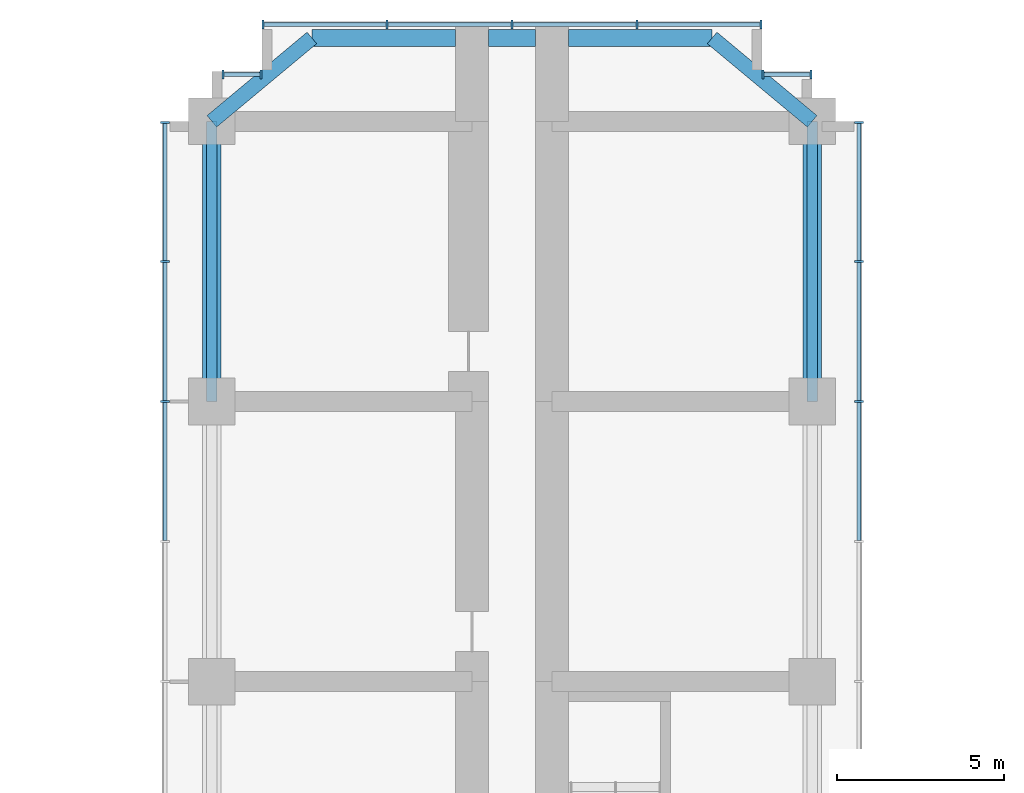
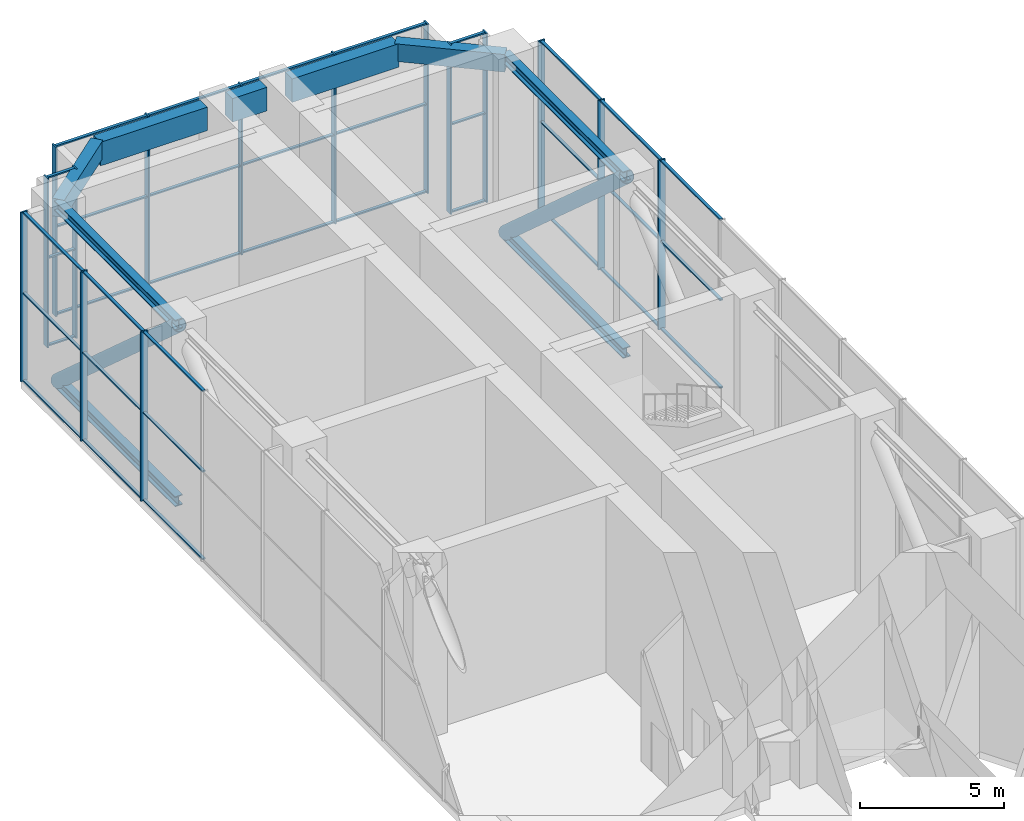
# One storey, part 9 of 19: 57 members, 5 beams, 5 elements without a shape of their own.
"""IFC4 building model written with IfcOpenShell, lengths in metres."""

from ifc_helpers import new_model, si_unit, direction, frame, origin, origin_2d, place, context, subcontext, project, spatial, rectangle, hollow_circle, i_section, extrude, material, material_profile, profile_set, type_object, element, aggregate, save


model = new_model("IFC4")

# Units and contexts
model_context = context("Model", 3, precision=1e-05, world=origin(), true_north=direction((0.0, 1.0)))
body_context = subcontext(model_context, "Body", "Model", "MODEL_VIEW")
ifc_project = project(units=[si_unit("LENGTHUNIT", "METRE"), si_unit("AREAUNIT", "SQUARE_METRE"), si_unit("VOLUMEUNIT", "CUBIC_METRE"), si_unit("PLANEANGLEUNIT", "RADIAN"), si_unit("MASSUNIT", "GRAM", prefix="KILO")], contexts=[model_context])

# Site, building, storey
site_placement = place(None, origin())
site = spatial("IfcSite", under=ifc_project, at=site_placement, CompositionType="ELEMENT")
building_placement = place(site_placement, origin())
building = spatial("IfcBuilding", under=site, at=building_placement, Name="Impinga Residences", CompositionType="ELEMENT")
storey_placement = place(building_placement, frame((0.0, 0.0, 93.5)))
storey = spatial("IfcBuildingStorey", under=building, at=storey_placement, Name="L23", CompositionType="ELEMENT", Elevation=93.5)

# Members
ifc_material_1 = material(Name="Steel S355", Category="steel")
ifc_material_profile_1 = material_profile(ifc_material_1, i_section(OverallWidth=0.306884765625, OverallDepth=0.431884765625, WebThickness=0.02099609375, FlangeThickness=0.0400390625, FilletRadius=0.027099609375, at=origin_2d()), Name="HE 400 M")
ifc_profile_set_1 = profile_set([ifc_material_profile_1], Name="Steel S355")
member_type_1 = type_object("IfcMemberType", Name="BT1 HE 400 M belt truss chord", PredefinedType="CHORD", material=ifc_profile_set_1)
for number, where, z_axis, x_axis, name in (
    (1, (-9.0, 36.631591796875, -0.51611328125), (0.0, 1.0, 0.0), (-1.0, 0.0, 0.0), "Belt truss chord BT1 NA N4-N5 L23"),
    (2, (-9.0, 36.631591796875, 6.98388671875), (0.0, 1.0, 0.0), (-1.0, 0.0, 0.0), "Belt truss chord BT1 NA N4-N5 L23"),
    (3, (9.0, 36.631591796875, -0.51611328125), (0.0, 1.0, 0.0), (-1.0, 0.0, 0.0), "Belt truss chord BT1 NF N4-N5 L23"),
    (4, (9.0, 36.631591796875, 6.98388671875), (0.0, 1.0, 0.0), (-1.0, 0.0, 0.0), "Belt truss chord BT1 NF N4-N5 L23"),
):
    element("IfcMember", number, at=place(storey_placement, frame(where, z_axis=z_axis, x_axis=x_axis)), inside=storey, type_object=member_type_1, Name=name, PredefinedType="CHORD", context=body_context, shape_type="SweptSolid", body=[
        extrude(i_section(OverallWidth=0.306884765625, OverallDepth=0.431884765625, WebThickness=0.02099609375, FlangeThickness=0.0400390625, FilletRadius=0.027099609375, at=origin_2d()), origin(), (0.0, 0.0, 1.0), 8.39990234375),
    ])
ifc_material_2 = material(Name="Steel S355J2H", Category="steel")
ifc_material_profile_2 = material_profile(ifc_material_2, hollow_circle(Radius=0.279541015625, WallThickness=0.02001953125, at=origin_2d()), Name="CHS 559x20")
ifc_profile_set_2 = profile_set([ifc_material_profile_2], Name="Steel S355J2H")
member_type_2 = type_object("IfcMemberType", Name="BT2 CHS 559x20 belt truss diagonal at L23", PredefinedType="BRACE", material=ifc_profile_set_2)
for number, where, z_axis, x_axis, name in (
    (5, (-9.0, 36.631591796875, 6.98388671875), (0.0, 0.745933814853, -0.666020077669), (-1.0, 0.0, 0.0), "Belt truss diagonal BT2 NA N4-N5 L23"),
    (6, (9.0, 36.631591796875, 6.98388671875), (0.0, 0.745933814853, -0.666020077669), (-1.0, 0.0, 0.0), "Belt truss diagonal BT2 NF N4-N5 L23"),
):
    element("IfcMember", number, at=place(storey_placement, frame(where, z_axis=z_axis, x_axis=x_axis)), inside=storey, type_object=member_type_2, Name=name, PredefinedType="BRACE", context=body_context, shape_type="SweptSolid", body=[
        extrude(hollow_circle(Radius=0.279541015625, WallThickness=0.02001953125, at=origin_2d()), origin(), (0.0, 0.0, 1.0), 11.260986328125),
    ])

# Beams
ifc_material_3 = material(Name="Concrete C60/75", Category="concrete")
ifc_material_profile_3 = material_profile(ifc_material_3, rectangle(XDim=0.449951171875, YDim=0.75, at=origin_2d()), Name="RC 450x750")
ifc_profile_set_3 = profile_set([ifc_material_profile_3], Name="Concrete C60/75")
beam_type_1 = type_object("IfcBeamType", Name="CB1 450x750 wing end cantilever beam", PredefinedType="BEAM", material=ifc_profile_set_3)
for number, where, z_axis, x_axis, name in (
    (7, (-9.0, 45.031494140625, 6.824951171875), (0.768221279597, 0.640184399664, 0.0), (-0.640184399664, 0.768221279597, 0.0), "Beam CB1 NB N5-NX level L24"),
    (8, (9.0, 45.031494140625, 6.824951171875), (-0.768221279597, 0.640184399664, 0.0), (-0.640184399664, -0.768221279597, 0.0), "Beam CB1 NE N5-NX level L24"),
):
    element("IfcBeam", number, at=place(storey_placement, frame(where, z_axis=z_axis, x_axis=x_axis)), inside=storey, type_object=beam_type_1, Name=name, PredefinedType="BEAM", context=body_context, shape_type="SweptSolid", body=[
        extrude(rectangle(XDim=0.449951171875, YDim=0.75, at=origin_2d()), origin(), (0.0, 0.0, 1.0), 3.905029296875),
    ])

# Curtain wall, members
ifc_material_4 = material(Name="Aluminium stick curtain wall", Category="aluminium")
curtain_wall_type = type_object("IfcCurtainWallType", Name="CW4 plant floor louvred curtain wall", PredefinedType="USERDEFINED", material=ifc_material_4)
curtain_wall_1_placement = place(storey_placement, origin())
curtain_wall_1 = element("IfcCurtainWall", 9, at=curtain_wall_1_placement, inside=storey, type_object=curtain_wall_type, Name="Curtain wall CW4 L23", ObjectType="STICK CURTAIN WALL", PredefinedType="USERDEFINED")
ifc_material_5 = material(Name="Aluminium mullion", Category="aluminium")
ifc_material_profile_4 = material_profile(ifc_material_5, rectangle(XDim=0.06005859375, YDim=0.27490234375, at=origin_2d()), Name="60x275 mullion")
ifc_profile_set_4 = profile_set([ifc_material_profile_4], Name="Aluminium mullion")
member_type_3 = type_object("IfcMemberType", Name="CW4-M mullion 60x275", PredefinedType="MULLION", material=ifc_profile_set_4)
member_1_placement = place(storey_placement, frame((-10.39990234375, 36.631591796875, 0.0), z_axis=(0.0, 0.0, 1.0), x_axis=(0.0, 1.0, 0.0)))
member_1 = element("IfcMember", 10, at=member_1_placement, type_object=member_type_3, Name="CW4 mullion 7", PredefinedType="MULLION", context=body_context, shape_type="SweptSolid", body=[
    extrude(rectangle(XDim=0.06005859375, YDim=0.27490234375, at=origin_2d()), origin(), (0.0, 0.0, 1.0), 7.199951171875),
])
member_2_placement = place(storey_placement, frame((-10.39990234375, 40.83154296875, 0.0), z_axis=(0.0, 0.0, 1.0), x_axis=(0.0, 1.0, 0.0)))
member_2 = element("IfcMember", 11, at=member_2_placement, type_object=member_type_3, Name="CW4 mullion 8", PredefinedType="MULLION", context=body_context, shape_type="SweptSolid", body=[
    extrude(rectangle(XDim=0.06005859375, YDim=0.27490234375, at=origin_2d()), origin(), (0.0, 0.0, 1.0), 7.199951171875),
])
member_3_placement = place(storey_placement, frame((-10.39990234375, 45.00146484375, 0.0), z_axis=(0.0, 0.0, 1.0), x_axis=(0.0, 1.0, 0.0)))
member_3 = element("IfcMember", 12, at=member_3_placement, type_object=member_type_3, Name="CW4 mullion 9", PredefinedType="MULLION", context=body_context, shape_type="SweptSolid", body=[
    extrude(rectangle(XDim=0.06005859375, YDim=0.27490234375, at=origin_2d()), origin(), (0.0, 0.0, 1.0), 7.199951171875),
])

curtain_wall_2_placement = place(storey_placement, origin())
curtain_wall_2 = element("IfcCurtainWall", 13, at=curtain_wall_2_placement, inside=storey, type_object=curtain_wall_type, Name="Curtain wall CW4 L23", ObjectType="STICK CURTAIN WALL", PredefinedType="USERDEFINED")
member_4_placement = place(storey_placement, frame((-8.669921875, 46.431640625, 0.0), z_axis=(0.0, 0.0, 1.0), x_axis=(1.0, 0.0, 0.0)))
member_4 = element("IfcMember", 14, at=member_4_placement, type_object=member_type_3, Name="CW4 mullion 1", PredefinedType="MULLION", context=body_context, shape_type="SweptSolid", body=[
    extrude(rectangle(XDim=0.06005859375, YDim=0.27490234375, at=origin_2d()), origin(), (0.0, 0.0, 1.0), 7.199951171875),
])
member_5_placement = place(storey_placement, frame((-7.530029296875, 46.431640625, 0.0), z_axis=(0.0, 0.0, 1.0), x_axis=(1.0, 0.0, 0.0)))
member_5 = element("IfcMember", 15, at=member_5_placement, type_object=member_type_3, Name="CW4 mullion 2", PredefinedType="MULLION", context=body_context, shape_type="SweptSolid", body=[
    extrude(rectangle(XDim=0.06005859375, YDim=0.27490234375, at=origin_2d()), origin(), (0.0, 0.0, 1.0), 7.199951171875),
])

curtain_wall_3_placement = place(storey_placement, origin())
curtain_wall_3 = element("IfcCurtainWall", 16, at=curtain_wall_3_placement, inside=storey, type_object=curtain_wall_type, Name="Curtain wall CW4 L23", ObjectType="STICK CURTAIN WALL", PredefinedType="USERDEFINED")
member_6_placement = place(storey_placement, frame((-7.469970703125, 47.931640625, 0.0), z_axis=(0.0, 0.0, 1.0), x_axis=(1.0, 0.0, 0.0)))
member_6 = element("IfcMember", 17, at=member_6_placement, type_object=member_type_3, Name="CW4 mullion 1", PredefinedType="MULLION", context=body_context, shape_type="SweptSolid", body=[
    extrude(rectangle(XDim=0.06005859375, YDim=0.27490234375, at=origin_2d()), origin(), (0.0, 0.0, 1.0), 7.199951171875),
])
member_7_placement = place(storey_placement, frame((-3.75, 47.931640625, 0.0), z_axis=(0.0, 0.0, 1.0), x_axis=(1.0, 0.0, 0.0)))
member_7 = element("IfcMember", 18, at=member_7_placement, type_object=member_type_3, Name="CW4 mullion 2", PredefinedType="MULLION", context=body_context, shape_type="SweptSolid", body=[
    extrude(rectangle(XDim=0.06005859375, YDim=0.27490234375, at=origin_2d()), origin(), (0.0, 0.0, 1.0), 7.199951171875),
])
member_8_placement = place(storey_placement, frame((0.0, 47.931640625, 0.0), z_axis=(0.0, 0.0, 1.0), x_axis=(1.0, 0.0, 0.0)))
member_8 = element("IfcMember", 19, at=member_8_placement, type_object=member_type_3, Name="CW4 mullion 3", PredefinedType="MULLION", context=body_context, shape_type="SweptSolid", body=[
    extrude(rectangle(XDim=0.06005859375, YDim=0.27490234375, at=origin_2d()), origin(), (0.0, 0.0, 1.0), 7.199951171875),
])
member_9_placement = place(storey_placement, frame((3.75, 47.931640625, 0.0), z_axis=(0.0, 0.0, 1.0), x_axis=(1.0, 0.0, 0.0)))
member_9 = element("IfcMember", 20, at=member_9_placement, type_object=member_type_3, Name="CW4 mullion 4", PredefinedType="MULLION", context=body_context, shape_type="SweptSolid", body=[
    extrude(rectangle(XDim=0.06005859375, YDim=0.27490234375, at=origin_2d()), origin(), (0.0, 0.0, 1.0), 7.199951171875),
])
member_10_placement = place(storey_placement, frame((7.469970703125, 47.931640625, 0.0), z_axis=(0.0, 0.0, 1.0), x_axis=(1.0, 0.0, 0.0)))
member_10 = element("IfcMember", 21, at=member_10_placement, type_object=member_type_3, Name="CW4 mullion 5", PredefinedType="MULLION", context=body_context, shape_type="SweptSolid", body=[
    extrude(rectangle(XDim=0.06005859375, YDim=0.27490234375, at=origin_2d()), origin(), (0.0, 0.0, 1.0), 7.199951171875),
])

curtain_wall_4_placement = place(storey_placement, origin())
curtain_wall_4 = element("IfcCurtainWall", 22, at=curtain_wall_4_placement, inside=storey, type_object=curtain_wall_type, Name="Curtain wall CW4 L23", ObjectType="STICK CURTAIN WALL", PredefinedType="USERDEFINED")
member_11_placement = place(storey_placement, frame((7.530029296875, 46.431640625, 0.0), z_axis=(0.0, 0.0, 1.0), x_axis=(1.0, 0.0, 0.0)))
member_11 = element("IfcMember", 23, at=member_11_placement, type_object=member_type_3, Name="CW4 mullion 1", PredefinedType="MULLION", context=body_context, shape_type="SweptSolid", body=[
    extrude(rectangle(XDim=0.06005859375, YDim=0.27490234375, at=origin_2d()), origin(), (0.0, 0.0, 1.0), 7.199951171875),
])
member_12_placement = place(storey_placement, frame((8.969970703125, 46.431640625, 0.0), z_axis=(0.0, 0.0, 1.0), x_axis=(1.0, 0.0, 0.0)))
member_12 = element("IfcMember", 24, at=member_12_placement, type_object=member_type_3, Name="CW4 mullion 2", PredefinedType="MULLION", context=body_context, shape_type="SweptSolid", body=[
    extrude(rectangle(XDim=0.06005859375, YDim=0.27490234375, at=origin_2d()), origin(), (0.0, 0.0, 1.0), 7.199951171875),
])

curtain_wall_5_placement = place(storey_placement, origin())
curtain_wall_5 = element("IfcCurtainWall", 25, at=curtain_wall_5_placement, inside=storey, type_object=curtain_wall_type, Name="Curtain wall CW4 L23", ObjectType="STICK CURTAIN WALL", PredefinedType="USERDEFINED")
member_13_placement = place(storey_placement, frame((10.39990234375, 45.00146484375, 0.0), z_axis=(0.0, 0.0, 1.0), x_axis=(0.0, -1.0, 0.0)))
member_13 = element("IfcMember", 26, at=member_13_placement, type_object=member_type_3, Name="CW4 mullion 1", PredefinedType="MULLION", context=body_context, shape_type="SweptSolid", body=[
    extrude(rectangle(XDim=0.06005859375, YDim=0.27490234375, at=origin_2d()), origin(), (0.0, 0.0, 1.0), 7.199951171875),
])
member_14_placement = place(storey_placement, frame((10.39990234375, 40.83154296875, 0.0), z_axis=(0.0, 0.0, 1.0), x_axis=(0.0, -1.0, 0.0)))
member_14 = element("IfcMember", 27, at=member_14_placement, type_object=member_type_3, Name="CW4 mullion 2", PredefinedType="MULLION", context=body_context, shape_type="SweptSolid", body=[
    extrude(rectangle(XDim=0.06005859375, YDim=0.27490234375, at=origin_2d()), origin(), (0.0, 0.0, 1.0), 7.199951171875),
])
member_15_placement = place(storey_placement, frame((10.39990234375, 36.631591796875, 0.0), z_axis=(0.0, 0.0, 1.0), x_axis=(0.0, -1.0, 0.0)))
member_15 = element("IfcMember", 28, at=member_15_placement, type_object=member_type_3, Name="CW4 mullion 3", PredefinedType="MULLION", context=body_context, shape_type="SweptSolid", body=[
    extrude(rectangle(XDim=0.06005859375, YDim=0.27490234375, at=origin_2d()), origin(), (0.0, 0.0, 1.0), 7.199951171875),
])

# Member
ifc_material_6 = material(Name="Aluminium transom", Category="aluminium")
ifc_material_profile_5 = material_profile(ifc_material_6, rectangle(XDim=0.06005859375, YDim=0.1201171875, at=origin_2d()), Name="60x120 transom")
ifc_profile_set_5 = profile_set([ifc_material_profile_5], Name="Aluminium transom")
member_type_4 = type_object("IfcMemberType", Name="CW4-T transom 60x120", PredefinedType="USERDEFINED", material=ifc_profile_set_5)
member_16_placement = place(storey_placement, frame((-10.39990234375, 32.46142578125, 0.030029296875), z_axis=(0.0, 1.0, 0.0), x_axis=(0.0, 0.0, 1.0)))
member_16 = element("IfcMember", 29, at=member_16_placement, type_object=member_type_4, Name="CW4 transom 6.1", ObjectType="TRANSOM", PredefinedType="USERDEFINED", context=body_context, shape_type="SweptSolid", body=[
    extrude(rectangle(XDim=0.06005859375, YDim=0.1201171875, at=origin_2d()), origin(), (0.0, 0.0, 1.0), 4.14013671875),
])

member_17_placement = place(storey_placement, frame((-10.39990234375, 32.46142578125, 3.75), z_axis=(0.0, 1.0, 0.0), x_axis=(0.0, 0.0, 1.0)))
member_17 = element("IfcMember", 30, at=member_17_placement, type_object=member_type_4, Name="CW4 transom 6.2", ObjectType="TRANSOM", PredefinedType="USERDEFINED", context=body_context, shape_type="SweptSolid", body=[
    extrude(rectangle(XDim=0.06005859375, YDim=0.1201171875, at=origin_2d()), origin(), (0.0, 0.0, 1.0), 4.14013671875),
])

member_18_placement = place(storey_placement, frame((-10.39990234375, 32.46142578125, 7.169921875), z_axis=(0.0, 1.0, 0.0), x_axis=(0.0, 0.0, 1.0)))
member_18 = element("IfcMember", 31, at=member_18_placement, type_object=member_type_4, Name="CW4 transom 6.3", ObjectType="TRANSOM", PredefinedType="USERDEFINED", context=body_context, shape_type="SweptSolid", body=[
    extrude(rectangle(XDim=0.06005859375, YDim=0.1201171875, at=origin_2d()), origin(), (0.0, 0.0, 1.0), 4.14013671875),
])

member_19_placement = place(storey_placement, frame((-10.39990234375, 36.66162109375, 0.030029296875), z_axis=(0.0, 1.0, 0.0), x_axis=(0.0, 0.0, 1.0)))
member_19 = element("IfcMember", 32, at=member_19_placement, type_object=member_type_4, Name="CW4 transom 7.1", ObjectType="TRANSOM", PredefinedType="USERDEFINED", context=body_context, shape_type="SweptSolid", body=[
    extrude(rectangle(XDim=0.06005859375, YDim=0.1201171875, at=origin_2d()), origin(), (0.0, 0.0, 1.0), 4.139892578125),
])

member_20_placement = place(storey_placement, frame((-10.39990234375, 36.66162109375, 3.75), z_axis=(0.0, 1.0, 0.0), x_axis=(0.0, 0.0, 1.0)))
member_20 = element("IfcMember", 33, at=member_20_placement, type_object=member_type_4, Name="CW4 transom 7.2", ObjectType="TRANSOM", PredefinedType="USERDEFINED", context=body_context, shape_type="SweptSolid", body=[
    extrude(rectangle(XDim=0.06005859375, YDim=0.1201171875, at=origin_2d()), origin(), (0.0, 0.0, 1.0), 4.139892578125),
])

member_21_placement = place(storey_placement, frame((-10.39990234375, 36.66162109375, 7.169921875), z_axis=(0.0, 1.0, 0.0), x_axis=(0.0, 0.0, 1.0)))
member_21 = element("IfcMember", 34, at=member_21_placement, type_object=member_type_4, Name="CW4 transom 7.3", ObjectType="TRANSOM", PredefinedType="USERDEFINED", context=body_context, shape_type="SweptSolid", body=[
    extrude(rectangle(XDim=0.06005859375, YDim=0.1201171875, at=origin_2d()), origin(), (0.0, 0.0, 1.0), 4.139892578125),
])

member_22_placement = place(storey_placement, frame((-10.39990234375, 40.861572265625, 0.030029296875), z_axis=(0.0, 1.0, 0.0), x_axis=(0.0, 0.0, 1.0)))
member_22 = element("IfcMember", 35, at=member_22_placement, type_object=member_type_4, Name="CW4 transom 8.1", ObjectType="TRANSOM", PredefinedType="USERDEFINED", context=body_context, shape_type="SweptSolid", body=[
    extrude(rectangle(XDim=0.06005859375, YDim=0.1201171875, at=origin_2d()), origin(), (0.0, 0.0, 1.0), 4.10986328125),
])

member_23_placement = place(storey_placement, frame((-10.39990234375, 40.861572265625, 3.75), z_axis=(0.0, 1.0, 0.0), x_axis=(0.0, 0.0, 1.0)))
member_23 = element("IfcMember", 36, at=member_23_placement, type_object=member_type_4, Name="CW4 transom 8.2", ObjectType="TRANSOM", PredefinedType="USERDEFINED", context=body_context, shape_type="SweptSolid", body=[
    extrude(rectangle(XDim=0.06005859375, YDim=0.1201171875, at=origin_2d()), origin(), (0.0, 0.0, 1.0), 4.10986328125),
])

member_24_placement = place(storey_placement, frame((-10.39990234375, 40.861572265625, 7.169921875), z_axis=(0.0, 1.0, 0.0), x_axis=(0.0, 0.0, 1.0)))
member_24 = element("IfcMember", 37, at=member_24_placement, type_object=member_type_4, Name="CW4 transom 8.3", ObjectType="TRANSOM", PredefinedType="USERDEFINED", context=body_context, shape_type="SweptSolid", body=[
    extrude(rectangle(XDim=0.06005859375, YDim=0.1201171875, at=origin_2d()), origin(), (0.0, 0.0, 1.0), 4.10986328125),
])

aggregate(curtain_wall_1, [member_1, member_2, member_3, member_16, member_17, member_18, member_19, member_20, member_21, member_22, member_23, member_24])

member_25_placement = place(storey_placement, frame((-8.639892578125, 46.431640625, 0.030029296875), z_axis=(1.0, 0.0, 0.0), x_axis=(0.0, 0.0, 1.0)))
member_25 = element("IfcMember", 38, at=member_25_placement, type_object=member_type_4, Name="CW4 transom 1.1", ObjectType="TRANSOM", PredefinedType="USERDEFINED", context=body_context, shape_type="SweptSolid", body=[
    extrude(rectangle(XDim=0.06005859375, YDim=0.1201171875, at=origin_2d()), origin(), (0.0, 0.0, 1.0), 1.079833984375),
])

member_26_placement = place(storey_placement, frame((-8.639892578125, 46.431640625, 3.75), z_axis=(1.0, 0.0, 0.0), x_axis=(0.0, 0.0, 1.0)))
member_26 = element("IfcMember", 39, at=member_26_placement, type_object=member_type_4, Name="CW4 transom 1.2", ObjectType="TRANSOM", PredefinedType="USERDEFINED", context=body_context, shape_type="SweptSolid", body=[
    extrude(rectangle(XDim=0.06005859375, YDim=0.1201171875, at=origin_2d()), origin(), (0.0, 0.0, 1.0), 1.079833984375),
])

member_27_placement = place(storey_placement, frame((-8.639892578125, 46.431640625, 7.169921875), z_axis=(1.0, 0.0, 0.0), x_axis=(0.0, 0.0, 1.0)))
member_27 = element("IfcMember", 40, at=member_27_placement, type_object=member_type_4, Name="CW4 transom 1.3", ObjectType="TRANSOM", PredefinedType="USERDEFINED", context=body_context, shape_type="SweptSolid", body=[
    extrude(rectangle(XDim=0.06005859375, YDim=0.1201171875, at=origin_2d()), origin(), (0.0, 0.0, 1.0), 1.079833984375),
])

aggregate(curtain_wall_2, [member_4, member_5, member_25, member_26, member_27])

member_28_placement = place(storey_placement, frame((-7.43994140625, 47.931640625, 0.030029296875), z_axis=(1.0, 0.0, 0.0), x_axis=(0.0, 0.0, 1.0)))
member_28 = element("IfcMember", 41, at=member_28_placement, type_object=member_type_4, Name="CW4 transom 1.1", ObjectType="TRANSOM", PredefinedType="USERDEFINED", context=body_context, shape_type="SweptSolid", body=[
    extrude(rectangle(XDim=0.06005859375, YDim=0.1201171875, at=origin_2d()), origin(), (0.0, 0.0, 1.0), 3.659912109375),
])

member_29_placement = place(storey_placement, frame((-7.43994140625, 47.931640625, 3.75), z_axis=(1.0, 0.0, 0.0), x_axis=(0.0, 0.0, 1.0)))
member_29 = element("IfcMember", 42, at=member_29_placement, type_object=member_type_4, Name="CW4 transom 1.2", ObjectType="TRANSOM", PredefinedType="USERDEFINED", context=body_context, shape_type="SweptSolid", body=[
    extrude(rectangle(XDim=0.06005859375, YDim=0.1201171875, at=origin_2d()), origin(), (0.0, 0.0, 1.0), 3.659912109375),
])

member_30_placement = place(storey_placement, frame((-7.43994140625, 47.931640625, 7.169921875), z_axis=(1.0, 0.0, 0.0), x_axis=(0.0, 0.0, 1.0)))
member_30 = element("IfcMember", 43, at=member_30_placement, type_object=member_type_4, Name="CW4 transom 1.3", ObjectType="TRANSOM", PredefinedType="USERDEFINED", context=body_context, shape_type="SweptSolid", body=[
    extrude(rectangle(XDim=0.06005859375, YDim=0.1201171875, at=origin_2d()), origin(), (0.0, 0.0, 1.0), 3.659912109375),
])

member_31_placement = place(storey_placement, frame((-3.719970703125, 47.931640625, 0.030029296875), z_axis=(1.0, 0.0, 0.0), x_axis=(0.0, 0.0, 1.0)))
member_31 = element("IfcMember", 44, at=member_31_placement, type_object=member_type_4, Name="CW4 transom 2.1", ObjectType="TRANSOM", PredefinedType="USERDEFINED", context=body_context, shape_type="SweptSolid", body=[
    extrude(rectangle(XDim=0.06005859375, YDim=0.1201171875, at=origin_2d()), origin(), (0.0, 0.0, 1.0), 3.68994140625),
])

member_32_placement = place(storey_placement, frame((-3.719970703125, 47.931640625, 3.75), z_axis=(1.0, 0.0, 0.0), x_axis=(0.0, 0.0, 1.0)))
member_32 = element("IfcMember", 45, at=member_32_placement, type_object=member_type_4, Name="CW4 transom 2.2", ObjectType="TRANSOM", PredefinedType="USERDEFINED", context=body_context, shape_type="SweptSolid", body=[
    extrude(rectangle(XDim=0.06005859375, YDim=0.1201171875, at=origin_2d()), origin(), (0.0, 0.0, 1.0), 3.68994140625),
])

member_33_placement = place(storey_placement, frame((-3.719970703125, 47.931640625, 7.169921875), z_axis=(1.0, 0.0, 0.0), x_axis=(0.0, 0.0, 1.0)))
member_33 = element("IfcMember", 46, at=member_33_placement, type_object=member_type_4, Name="CW4 transom 2.3", ObjectType="TRANSOM", PredefinedType="USERDEFINED", context=body_context, shape_type="SweptSolid", body=[
    extrude(rectangle(XDim=0.06005859375, YDim=0.1201171875, at=origin_2d()), origin(), (0.0, 0.0, 1.0), 3.68994140625),
])

member_34_placement = place(storey_placement, frame((0.030029296875, 47.931640625, 0.030029296875), z_axis=(1.0, 0.0, 0.0), x_axis=(0.0, 0.0, 1.0)))
member_34 = element("IfcMember", 47, at=member_34_placement, type_object=member_type_4, Name="CW4 transom 3.1", ObjectType="TRANSOM", PredefinedType="USERDEFINED", context=body_context, shape_type="SweptSolid", body=[
    extrude(rectangle(XDim=0.06005859375, YDim=0.1201171875, at=origin_2d()), origin(), (0.0, 0.0, 1.0), 3.68994140625),
])

member_35_placement = place(storey_placement, frame((0.030029296875, 47.931640625, 3.75), z_axis=(1.0, 0.0, 0.0), x_axis=(0.0, 0.0, 1.0)))
member_35 = element("IfcMember", 48, at=member_35_placement, type_object=member_type_4, Name="CW4 transom 3.2", ObjectType="TRANSOM", PredefinedType="USERDEFINED", context=body_context, shape_type="SweptSolid", body=[
    extrude(rectangle(XDim=0.06005859375, YDim=0.1201171875, at=origin_2d()), origin(), (0.0, 0.0, 1.0), 3.68994140625),
])

member_36_placement = place(storey_placement, frame((0.030029296875, 47.931640625, 7.169921875), z_axis=(1.0, 0.0, 0.0), x_axis=(0.0, 0.0, 1.0)))
member_36 = element("IfcMember", 49, at=member_36_placement, type_object=member_type_4, Name="CW4 transom 3.3", ObjectType="TRANSOM", PredefinedType="USERDEFINED", context=body_context, shape_type="SweptSolid", body=[
    extrude(rectangle(XDim=0.06005859375, YDim=0.1201171875, at=origin_2d()), origin(), (0.0, 0.0, 1.0), 3.68994140625),
])

member_37_placement = place(storey_placement, frame((3.780029296875, 47.931640625, 0.030029296875), z_axis=(1.0, 0.0, 0.0), x_axis=(0.0, 0.0, 1.0)))
member_37 = element("IfcMember", 50, at=member_37_placement, type_object=member_type_4, Name="CW4 transom 4.1", ObjectType="TRANSOM", PredefinedType="USERDEFINED", context=body_context, shape_type="SweptSolid", body=[
    extrude(rectangle(XDim=0.06005859375, YDim=0.1201171875, at=origin_2d()), origin(), (0.0, 0.0, 1.0), 3.659912109375),
])

member_38_placement = place(storey_placement, frame((3.780029296875, 47.931640625, 3.75), z_axis=(1.0, 0.0, 0.0), x_axis=(0.0, 0.0, 1.0)))
member_38 = element("IfcMember", 51, at=member_38_placement, type_object=member_type_4, Name="CW4 transom 4.2", ObjectType="TRANSOM", PredefinedType="USERDEFINED", context=body_context, shape_type="SweptSolid", body=[
    extrude(rectangle(XDim=0.06005859375, YDim=0.1201171875, at=origin_2d()), origin(), (0.0, 0.0, 1.0), 3.659912109375),
])

member_39_placement = place(storey_placement, frame((3.780029296875, 47.931640625, 7.169921875), z_axis=(1.0, 0.0, 0.0), x_axis=(0.0, 0.0, 1.0)))
member_39 = element("IfcMember", 52, at=member_39_placement, type_object=member_type_4, Name="CW4 transom 4.3", ObjectType="TRANSOM", PredefinedType="USERDEFINED", context=body_context, shape_type="SweptSolid", body=[
    extrude(rectangle(XDim=0.06005859375, YDim=0.1201171875, at=origin_2d()), origin(), (0.0, 0.0, 1.0), 3.659912109375),
])

aggregate(curtain_wall_3, [member_6, member_7, member_8, member_9, member_10, member_28, member_29, member_30, member_31, member_32, member_33, member_34, member_35, member_36, member_37, member_38, member_39])

member_40_placement = place(storey_placement, frame((7.56005859375, 46.431640625, 0.030029296875), z_axis=(1.0, 0.0, 0.0), x_axis=(0.0, 0.0, 1.0)))
member_40 = element("IfcMember", 53, at=member_40_placement, type_object=member_type_4, Name="CW4 transom 1.1", ObjectType="TRANSOM", PredefinedType="USERDEFINED", context=body_context, shape_type="SweptSolid", body=[
    extrude(rectangle(XDim=0.06005859375, YDim=0.1201171875, at=origin_2d()), origin(), (0.0, 0.0, 1.0), 1.3798828125),
])

member_41_placement = place(storey_placement, frame((7.56005859375, 46.431640625, 3.75), z_axis=(1.0, 0.0, 0.0), x_axis=(0.0, 0.0, 1.0)))
member_41 = element("IfcMember", 54, at=member_41_placement, type_object=member_type_4, Name="CW4 transom 1.2", ObjectType="TRANSOM", PredefinedType="USERDEFINED", context=body_context, shape_type="SweptSolid", body=[
    extrude(rectangle(XDim=0.06005859375, YDim=0.1201171875, at=origin_2d()), origin(), (0.0, 0.0, 1.0), 1.3798828125),
])

member_42_placement = place(storey_placement, frame((7.56005859375, 46.431640625, 7.169921875), z_axis=(1.0, 0.0, 0.0), x_axis=(0.0, 0.0, 1.0)))
member_42 = element("IfcMember", 55, at=member_42_placement, type_object=member_type_4, Name="CW4 transom 1.3", ObjectType="TRANSOM", PredefinedType="USERDEFINED", context=body_context, shape_type="SweptSolid", body=[
    extrude(rectangle(XDim=0.06005859375, YDim=0.1201171875, at=origin_2d()), origin(), (0.0, 0.0, 1.0), 1.3798828125),
])

aggregate(curtain_wall_4, [member_11, member_12, member_40, member_41, member_42])

member_43_placement = place(storey_placement, frame((10.39990234375, 44.971435546875, 0.030029296875), z_axis=(0.0, -1.0, 0.0), x_axis=(0.0, 0.0, 1.0)))
member_43 = element("IfcMember", 56, at=member_43_placement, type_object=member_type_4, Name="CW4 transom 1.1", ObjectType="TRANSOM", PredefinedType="USERDEFINED", context=body_context, shape_type="SweptSolid", body=[
    extrude(rectangle(XDim=0.06005859375, YDim=0.1201171875, at=origin_2d()), origin(), (0.0, 0.0, 1.0), 4.10986328125),
])

member_44_placement = place(storey_placement, frame((10.39990234375, 44.971435546875, 3.75), z_axis=(0.0, -1.0, 0.0), x_axis=(0.0, 0.0, 1.0)))
member_44 = element("IfcMember", 57, at=member_44_placement, type_object=member_type_4, Name="CW4 transom 1.2", ObjectType="TRANSOM", PredefinedType="USERDEFINED", context=body_context, shape_type="SweptSolid", body=[
    extrude(rectangle(XDim=0.06005859375, YDim=0.1201171875, at=origin_2d()), origin(), (0.0, 0.0, 1.0), 4.10986328125),
])

member_45_placement = place(storey_placement, frame((10.39990234375, 44.971435546875, 7.169921875), z_axis=(0.0, -1.0, 0.0), x_axis=(0.0, 0.0, 1.0)))
member_45 = element("IfcMember", 58, at=member_45_placement, type_object=member_type_4, Name="CW4 transom 1.3", ObjectType="TRANSOM", PredefinedType="USERDEFINED", context=body_context, shape_type="SweptSolid", body=[
    extrude(rectangle(XDim=0.06005859375, YDim=0.1201171875, at=origin_2d()), origin(), (0.0, 0.0, 1.0), 4.10986328125),
])

member_46_placement = place(storey_placement, frame((10.39990234375, 40.801513671875, 0.030029296875), z_axis=(0.0, -1.0, 0.0), x_axis=(0.0, 0.0, 1.0)))
member_46 = element("IfcMember", 59, at=member_46_placement, type_object=member_type_4, Name="CW4 transom 2.1", ObjectType="TRANSOM", PredefinedType="USERDEFINED", context=body_context, shape_type="SweptSolid", body=[
    extrude(rectangle(XDim=0.06005859375, YDim=0.1201171875, at=origin_2d()), origin(), (0.0, 0.0, 1.0), 4.139892578125),
])

member_47_placement = place(storey_placement, frame((10.39990234375, 40.801513671875, 3.75), z_axis=(0.0, -1.0, 0.0), x_axis=(0.0, 0.0, 1.0)))
member_47 = element("IfcMember", 60, at=member_47_placement, type_object=member_type_4, Name="CW4 transom 2.2", ObjectType="TRANSOM", PredefinedType="USERDEFINED", context=body_context, shape_type="SweptSolid", body=[
    extrude(rectangle(XDim=0.06005859375, YDim=0.1201171875, at=origin_2d()), origin(), (0.0, 0.0, 1.0), 4.139892578125),
])

member_48_placement = place(storey_placement, frame((10.39990234375, 40.801513671875, 7.169921875), z_axis=(0.0, -1.0, 0.0), x_axis=(0.0, 0.0, 1.0)))
member_48 = element("IfcMember", 61, at=member_48_placement, type_object=member_type_4, Name="CW4 transom 2.3", ObjectType="TRANSOM", PredefinedType="USERDEFINED", context=body_context, shape_type="SweptSolid", body=[
    extrude(rectangle(XDim=0.06005859375, YDim=0.1201171875, at=origin_2d()), origin(), (0.0, 0.0, 1.0), 4.139892578125),
])

member_49_placement = place(storey_placement, frame((10.39990234375, 36.6015625, 0.030029296875), z_axis=(0.0, -1.0, 0.0), x_axis=(0.0, 0.0, 1.0)))
member_49 = element("IfcMember", 62, at=member_49_placement, type_object=member_type_4, Name="CW4 transom 3.1", ObjectType="TRANSOM", PredefinedType="USERDEFINED", context=body_context, shape_type="SweptSolid", body=[
    extrude(rectangle(XDim=0.06005859375, YDim=0.1201171875, at=origin_2d()), origin(), (0.0, 0.0, 1.0), 4.14013671875),
])

member_50_placement = place(storey_placement, frame((10.39990234375, 36.6015625, 3.75), z_axis=(0.0, -1.0, 0.0), x_axis=(0.0, 0.0, 1.0)))
member_50 = element("IfcMember", 63, at=member_50_placement, type_object=member_type_4, Name="CW4 transom 3.2", ObjectType="TRANSOM", PredefinedType="USERDEFINED", context=body_context, shape_type="SweptSolid", body=[
    extrude(rectangle(XDim=0.06005859375, YDim=0.1201171875, at=origin_2d()), origin(), (0.0, 0.0, 1.0), 4.14013671875),
])

member_51_placement = place(storey_placement, frame((10.39990234375, 36.6015625, 7.169921875), z_axis=(0.0, -1.0, 0.0), x_axis=(0.0, 0.0, 1.0)))
member_51 = element("IfcMember", 64, at=member_51_placement, type_object=member_type_4, Name="CW4 transom 3.3", ObjectType="TRANSOM", PredefinedType="USERDEFINED", context=body_context, shape_type="SweptSolid", body=[
    extrude(rectangle(XDim=0.06005859375, YDim=0.1201171875, at=origin_2d()), origin(), (0.0, 0.0, 1.0), 4.14013671875),
])

aggregate(curtain_wall_5, [member_13, member_14, member_15, member_43, member_44, member_45, member_46, member_47, member_48, member_49, member_50, member_51])

# Beams
ifc_material_profile_6 = material_profile(ifc_material_3, rectangle(XDim=0.5, YDim=1.0, at=origin_2d()), Name="RC 500x1000")
ifc_profile_set_6 = profile_set([ifc_material_profile_6], Name="Concrete C60/75")
beam_type_2 = type_object("IfcBeamType", Name="EB1 500x1000 wing end beam", PredefinedType="BEAM", material=ifc_profile_set_6)
beam_1_placement = place(storey_placement, frame((-6.0, 47.531494140625, 6.699951171875), z_axis=(1.0, 0.0, 0.0), x_axis=(0.0, 1.0, 0.0)))
element("IfcBeam", 65, at=beam_1_placement, inside=storey, type_object=beam_type_2, Name="Beam EB1 NX4 level L24", PredefinedType="BEAM", context=body_context, shape_type="SweptSolid", body=[
    extrude(rectangle(XDim=0.5, YDim=1.0, at=origin_2d()), origin(), (0.0, 0.0, 1.0), 4.300048828125),
])
beam_2_placement = place(storey_placement, frame((-0.699951171875, 47.531494140625, 6.699951171875), z_axis=(1.0, 0.0, 0.0), x_axis=(0.0, 1.0, 0.0)))
element("IfcBeam", 66, at=beam_2_placement, inside=storey, type_object=beam_type_2, Name="Beam EB1 NX4 level L24", PredefinedType="BEAM", context=body_context, shape_type="SweptSolid", body=[
    extrude(rectangle(XDim=0.5, YDim=1.0, at=origin_2d()), origin(), (0.0, 0.0, 1.0), 1.39990234375),
])
beam_3_placement = place(storey_placement, frame((1.699951171875, 47.531494140625, 6.699951171875), z_axis=(1.0, 0.0, 0.0), x_axis=(0.0, 1.0, 0.0)))
element("IfcBeam", 67, at=beam_3_placement, inside=storey, type_object=beam_type_2, Name="Beam EB1 NX4 level L24", PredefinedType="BEAM", context=body_context, shape_type="SweptSolid", body=[
    extrude(rectangle(XDim=0.5, YDim=1.0, at=origin_2d()), origin(), (0.0, 0.0, 1.0), 4.300048828125),
])

save(model, "model.ifc")
